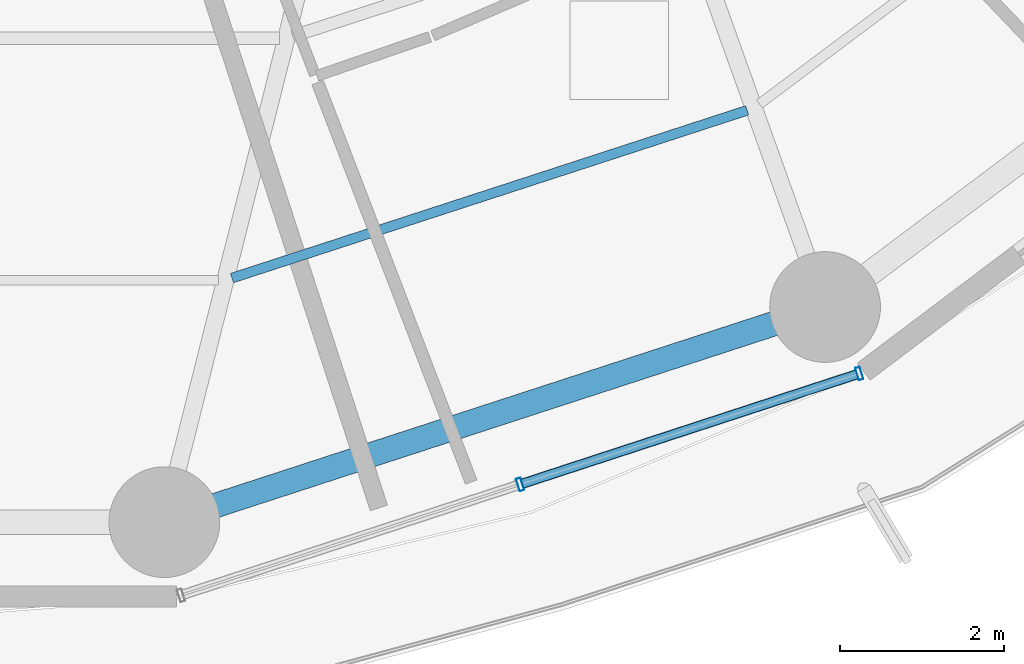
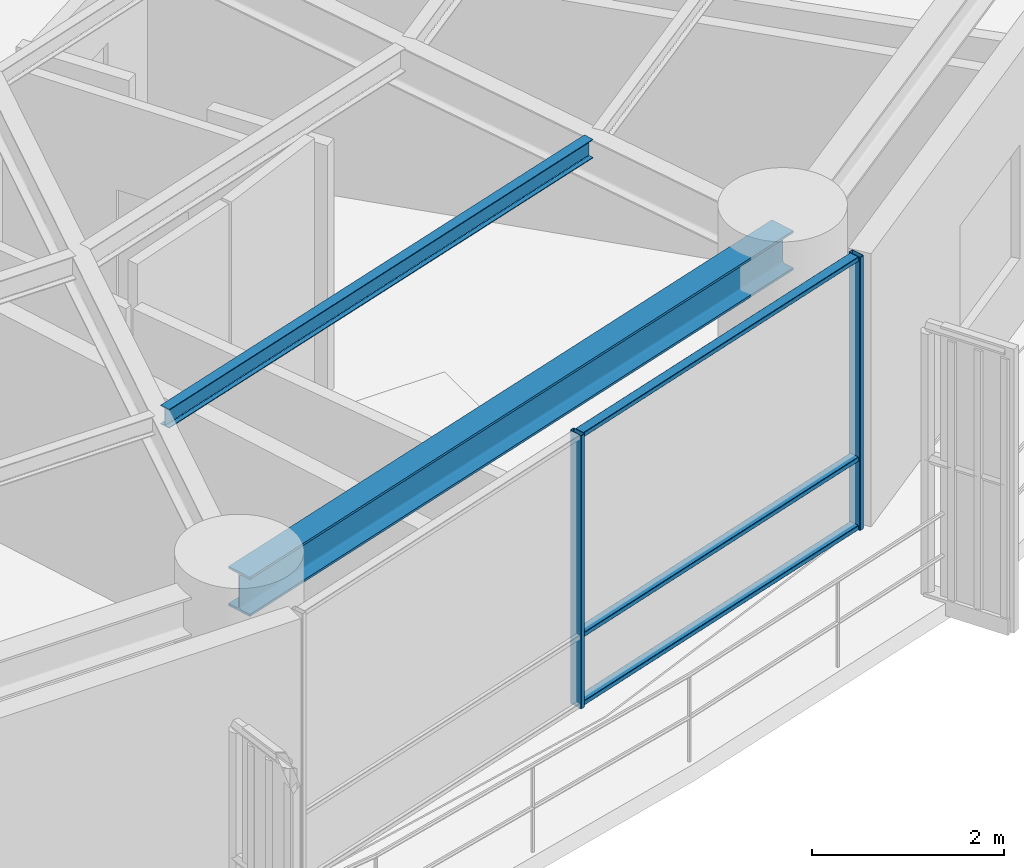
# One storey, part 10 of 37: 5 members, 2 beams, 1 element without a shape of its own.
"""IFC4 building model written with IfcOpenShell, lengths in metres."""

from ifc_helpers import new_model, si_unit, direction, frame, origin, origin_2d, place, context, subcontext, project, spatial, hollow_rectangle, i_section, extrude, material, layer, layer_set, material_profile, profile_set, type_object, element, aggregate, save


model = new_model("IFC4")

# Units and contexts
model_context = context("Model", 3, precision=1e-05, world=origin(), true_north=direction((0.0, 1.0)))
body_context = subcontext(model_context, "Body", "Model", "MODEL_VIEW")
ifc_project = project(units=[si_unit("LENGTHUNIT", "METRE"), si_unit("AREAUNIT", "SQUARE_METRE"), si_unit("VOLUMEUNIT", "CUBIC_METRE"), si_unit("PLANEANGLEUNIT", "RADIAN"), si_unit("MASSUNIT", "GRAM", prefix="KILO")], contexts=[model_context])

# Site, building, storey
site_placement = place(None, origin())
site = spatial("IfcSite", under=ifc_project, at=site_placement, CompositionType="ELEMENT")
building_placement = place(site_placement, origin())
building = spatial("IfcBuilding", under=site, at=building_placement, Name="Kelanora Arch Commons", CompositionType="ELEMENT")
storey_placement = place(building_placement, frame((0.0, 0.0, 110.10009765625)))
storey = spatial("IfcBuildingStorey", under=building, at=storey_placement, Name="L28", CompositionType="ELEMENT", Elevation=110.10009765625)

# Beams
ifc_material_1 = material(Name="Steel S355", Category="steel")
ifc_material_profile_1 = material_profile(ifc_material_1, i_section(OverallWidth=0.1201171875, OverallDepth=0.239990234375, WebThickness=0.006103515625, FlangeThickness=0.009765625, FilletRadius=0.014892578125, at=origin_2d()), Name="IPE240")
ifc_profile_set_1 = profile_set([ifc_material_profile_1], Name="Steel S355")
beam_type_1 = type_object("IfcBeamType", Name="BM-JST-02", PredefinedType="JOIST", material=ifc_profile_set_1)
beam_1_placement = place(storey_placement, frame((79.109375, 39.230712890625, 3.369873046875), z_axis=(0.950862829272, 0.309612467301, 0.0), x_axis=(-0.309612467301, 0.950862829272, 0.0)))
element("IfcBeam", 1, at=beam_1_placement, inside=storey, type_object=beam_type_1, Name="Secondary Chord Joist BJC-28 L28", PredefinedType="JOIST", context=body_context, shape_type="SweptSolid", body=[
    extrude(i_section(OverallWidth=0.1201171875, OverallDepth=0.239990234375, WebThickness=0.006103515625, FlangeThickness=0.009765625, FilletRadius=0.014892578125, at=origin_2d()), origin(), (0.0, 0.0, 1.0), 6.6064453125),
])
ifc_material_profile_2 = material_profile(ifc_material_1, i_section(OverallWidth=0.300048828125, OverallDepth=0.5, WebThickness=0.014404296875, FlangeThickness=0.028076171875, FilletRadius=0.027099609375, at=origin_2d()), Name="HEB500")
ifc_profile_set_2 = profile_set([ifc_material_profile_2], Name="Steel S355")
beam_type_2 = type_object("IfcBeamType", Name="BM-SPN-Z2", PredefinedType="SPANDREL", material=ifc_profile_set_2)
beam_2_placement = place(storey_placement, frame((78.28564453125, 36.25537109375, 3.239990234375), z_axis=(0.950856631974, 0.309631499418, 0.0), x_axis=(-0.309631499418, 0.950856631974, 0.0)))
element("IfcBeam", 2, at=beam_2_placement, inside=storey, type_object=beam_type_2, Name="Perimeter Spandrel Beam BS-28 L28", PredefinedType="SPANDREL", context=body_context, shape_type="SweptSolid", body=[
    extrude(i_section(OverallWidth=0.300048828125, OverallDepth=0.5, WebThickness=0.014404296875, FlangeThickness=0.028076171875, FilletRadius=0.027099609375, at=origin_2d()), origin(), (0.0, 0.0, 1.0), 8.470703125),
])

# Curtain wall, members
ifc_material_2 = material(Name="Terracotta ceramic-fritted low-E glass and aluminium", Category="masonry")
ifc_layer = layer(ifc_material_2, 0.159912109375)
ifc_layer_set = layer_set([ifc_layer], Name="Terracotta ceramic-fritted low-E glass and aluminium")
curtain_wall_type = type_object("IfcCurtainWallType", Name="CW-SYS-01", PredefinedType="NOTDEFINED", material=ifc_layer_set)
curtain_wall_placement = place(storey_placement, origin())
curtain_wall = element("IfcCurtainWall", 3, at=curtain_wall_placement, inside=storey, type_object=curtain_wall_type, Name="Unitised Curtain Wall L28-B14", PredefinedType="NOTDEFINED")
ifc_material_3 = material(Name="Powder-coated aluminium terracotta", Category="masonry")
ifc_material_profile_3 = material_profile(ifc_material_3, hollow_rectangle(XDim=0.159912109375, YDim=0.06005859375, WallThickness=0.0048828125, InnerFilletRadius=0.0048828125, OuterFilletRadius=0.010009765625, at=origin_2d()), Name="CWM160x60")
ifc_profile_set_3 = profile_set([ifc_material_profile_3], Name="Powder-coated aluminium terracotta")
member_type_1 = type_object("IfcMemberType", Name="CWM-STD", PredefinedType="MULLION", material=ifc_profile_set_3)
member_1_placement = place(storey_placement, frame((82.622802734375, 36.71533203125, 0.0), z_axis=(0.0, 0.0, 1.0), x_axis=(-0.31080470294, 0.950473795867, 0.0)))
member_1 = element("IfcMember", 4, at=member_1_placement, type_object=member_type_1, Name="CW-01 mullion 2", PredefinedType="MULLION", context=body_context, shape_type="SweptSolid", body=[
    extrude(hollow_rectangle(XDim=0.159912109375, YDim=0.06005859375, WallThickness=0.0048828125, InnerFilletRadius=0.0048828125, OuterFilletRadius=0.010009765625, at=origin_2d()), origin(), (0.0, 0.0, 1.0), 3.474853515625),
])
member_2_placement = place(storey_placement, frame((86.757080078125, 38.0673828125, 0.0), z_axis=(0.0, 0.0, 1.0), x_axis=(-0.31080470294, 0.950473795867, 0.0)))
member_2 = element("IfcMember", 5, at=member_2_placement, type_object=member_type_1, Name="CW-01 mullion 3", PredefinedType="MULLION", context=body_context, shape_type="SweptSolid", body=[
    extrude(hollow_rectangle(XDim=0.159912109375, YDim=0.06005859375, WallThickness=0.0048828125, InnerFilletRadius=0.0048828125, OuterFilletRadius=0.010009765625, at=origin_2d()), origin(), (0.0, 0.0, 1.0), 3.474853515625),
])
ifc_material_profile_4 = material_profile(ifc_material_3, hollow_rectangle(XDim=0.1201171875, YDim=0.06005859375, WallThickness=0.0048828125, InnerFilletRadius=0.0048828125, OuterFilletRadius=0.010009765625, at=origin_2d()), Name="CWT120x60")
ifc_profile_set_4 = profile_set([ifc_material_profile_4], Name="Powder-coated aluminium terracotta")
member_type_2 = type_object("IfcMemberType", Name="CWT-STD", PredefinedType="USERDEFINED", material=ifc_profile_set_4)
member_3_placement = place(storey_placement, frame((82.651123046875, 36.724609375, 0.02978515625), z_axis=(0.950466230394, 0.310827838008, 0.0), x_axis=(-0.310827838008, 0.950466230394, 0.0)))
member_3 = element("IfcMember", 6, at=member_3_placement, type_object=member_type_2, Name="CW-01 transom 2.1", ObjectType="TRANSOM", PredefinedType="USERDEFINED", context=body_context, shape_type="SweptSolid", body=[
    extrude(hollow_rectangle(XDim=0.1201171875, YDim=0.06005859375, WallThickness=0.0048828125, InnerFilletRadius=0.0048828125, OuterFilletRadius=0.010009765625, at=origin_2d()), origin(), (0.0, 0.0, 1.0), 4.2900390625),
])
member_4_placement = place(storey_placement, frame((82.651123046875, 36.724609375, 0.89990234375), z_axis=(0.950466230394, 0.310827838008, 0.0), x_axis=(-0.310827838008, 0.950466230394, 0.0)))
member_4 = element("IfcMember", 7, at=member_4_placement, type_object=member_type_2, Name="CW-01 transom 2.2", ObjectType="TRANSOM", PredefinedType="USERDEFINED", context=body_context, shape_type="SweptSolid", body=[
    extrude(hollow_rectangle(XDim=0.1201171875, YDim=0.06005859375, WallThickness=0.0048828125, InnerFilletRadius=0.0048828125, OuterFilletRadius=0.010009765625, at=origin_2d()), origin(), (0.0, 0.0, 1.0), 4.2900390625),
])
member_5_placement = place(storey_placement, frame((82.651123046875, 36.724609375, 3.44482421875), z_axis=(0.950466230394, 0.310827838008, 0.0), x_axis=(-0.310827838008, 0.950466230394, 0.0)))
member_5 = element("IfcMember", 8, at=member_5_placement, type_object=member_type_2, Name="CW-01 transom 2.3", ObjectType="TRANSOM", PredefinedType="USERDEFINED", context=body_context, shape_type="SweptSolid", body=[
    extrude(hollow_rectangle(XDim=0.1201171875, YDim=0.06005859375, WallThickness=0.0048828125, InnerFilletRadius=0.0048828125, OuterFilletRadius=0.010009765625, at=origin_2d()), origin(), (0.0, 0.0, 1.0), 4.2900390625),
])
aggregate(curtain_wall, [member_1, member_2, member_3, member_4, member_5])

save(model, "model.ifc")
